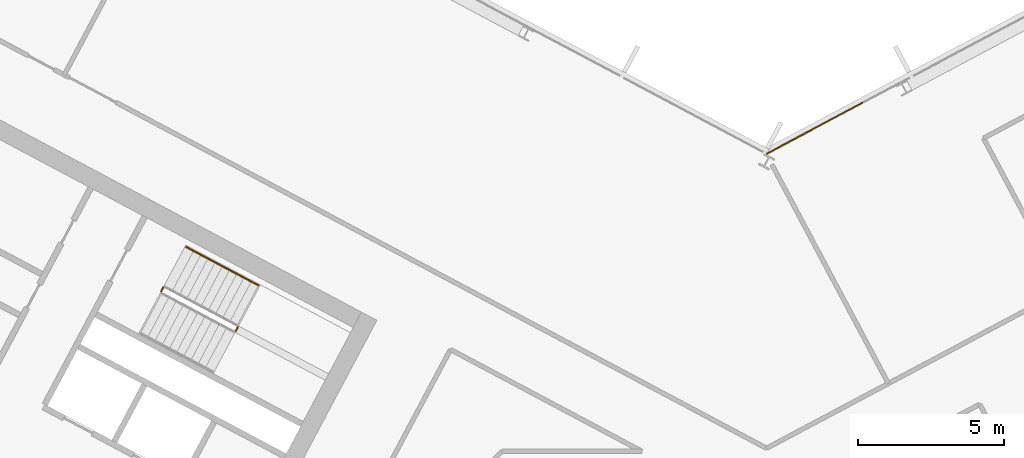
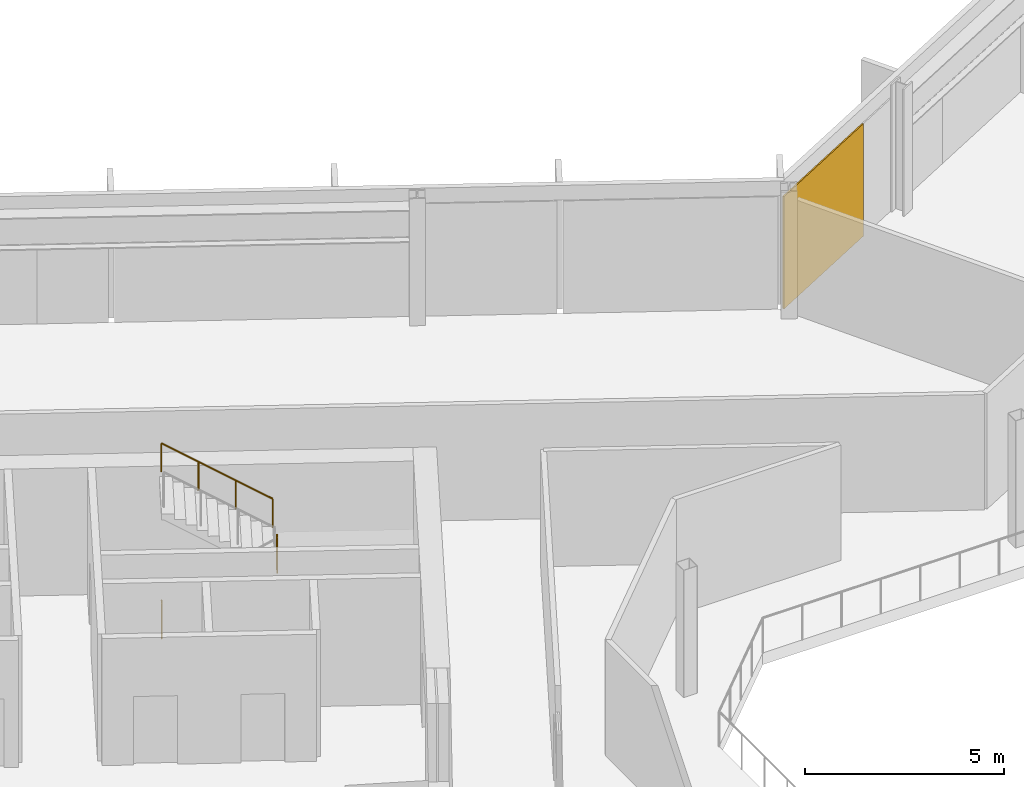
# One storey, part 22 of 26: 3 railings, 1 covering, 1 element without a shape of its own.
"""IFC4 building model written with IfcOpenShell, lengths in metres."""

from ifc_helpers import new_model, si_unit, direction, frame, origin, origin_2d, place, context, subcontext, project, spatial, polyline, rectangle, outline, extrude, material, layer, layer_set, type_object, element, aggregate, save


model = new_model("IFC4")

# Units and contexts
model_context = context("Model", 3, precision=1e-05, world=origin(), true_north=direction((0.0, 1.0)))
body_context = subcontext(model_context, "Body", "Model", "MODEL_VIEW")
ifc_project = project(units=[si_unit("LENGTHUNIT", "METRE"), si_unit("AREAUNIT", "SQUARE_METRE"), si_unit("VOLUMEUNIT", "CUBIC_METRE"), si_unit("PLANEANGLEUNIT", "RADIAN"), si_unit("MASSUNIT", "GRAM", prefix="KILO")], contexts=[model_context])

# Site, building, storey
site_placement = place(None, origin())
site = spatial("IfcSite", under=ifc_project, at=site_placement, CompositionType="ELEMENT")
building_placement = place(site_placement, origin())
building = spatial("IfcBuilding", under=site, at=building_placement, Name="Cormorant Relay Tower", CompositionType="ELEMENT")
storey_placement = place(building_placement, frame((0.0, 0.0, 220.800048828125)))
storey = spatial("IfcBuildingStorey", under=building, at=storey_placement, Name="L48", CompositionType="ELEMENT", Elevation=220.800048828125)

# Curtain wall, covering
ifc_material_1 = material(Name="Aluminium 6063-T6 anodised bronze", Category="aluminium")
ifc_layer_1 = layer(ifc_material_1, 0.199951171875)
ifc_layer_set_1 = layer_set([ifc_layer_1], Name="CW1 unitised bronze curtain wall with vertical fins")
curtain_wall_type = type_object("IfcCurtainWallType", Name="CW1 unitised bronze curtain wall with vertical fins", PredefinedType="NOTDEFINED", material=ifc_layer_set_1)
curtain_wall_placement = place(storey_placement, origin())
curtain_wall = element("IfcCurtainWall", 1, at=curtain_wall_placement, inside=storey, type_object=curtain_wall_type, Name="CW1 curtain wall 8", PredefinedType="NOTDEFINED")
ifc_material_2 = material(Name="Pale bronze anodised aluminium insulated panel", Category="aluminium")
ifc_layer_2 = layer(ifc_material_2, 0.0400390625)
ifc_layer_set_2 = layer_set([ifc_layer_2], Name="CW1 pale bronze insulated panel 40")
covering_type = type_object("IfcCoveringType", Name="CW1 pale bronze insulated panel 40", PredefinedType="CLADDING", material=ifc_layer_set_2)
covering_placement = place(storey_placement, frame((1.65234375, 24.685302734375, 0.0), z_axis=(0.0, 0.0, 1.0), x_axis=(-0.882947592859, -0.469471562786, 0.0)))
covering = element("IfcCovering", 2, at=covering_placement, type_object=covering_type, Name="CW1 panel S08", PredefinedType="CLADDING", context=body_context, shape_type="SweptSolid", body=[
    extrude(rectangle(XDim=3.763916015625, YDim=0.0400390625, at=origin_2d()), origin(), (0.0, 0.0, 1.0), 3.449951171875),
])
aggregate(curtain_wall, [covering])

# Railings
ifc_material_3 = material(Name="Steel ASTM A572 Grade 50 (Fy 345 MPa)", Category="steel")
railing_type_1 = type_object("IfcRailingType", Name="Stair guard 1100", PredefinedType="GUARDRAIL", material=ifc_material_3)
railing_1_placement = place(storey_placement, frame((-18.210693359375, 17.72412109375, 1.949951171875)))
element("IfcRailing", 3, at=railing_1_placement, inside=storey, type_object=railing_type_1, Name="L48 A1 stair guard 2", PredefinedType="GUARDRAIL", context=body_context, shape_type="SweptSolid", body=[
    extrude(outline(polyline([(0.022216796875, 0.00927734375), (0.00927734375, 0.022216796875), (-0.00927734375, 0.022216796875), (-0.022216796875, 0.00927734375), (-0.022216796875, -0.00927734375), (-0.00927734375, -0.022216796875), (0.00927734375, -0.022216796875), (0.022216796875, -0.00927734375), (0.022216796875, 0.00927734375)])), frame((0.0, 0.0, 1.076171875), z_axis=(0.470503732759, 0.882398003998, 0.0), x_axis=(-0.882398003998, 0.470503732759, 0.0)), (0.0, 0.0, 1.0), 0.14990234375),
    extrude(outline(polyline([(0.019287109375, 0.008056640625), (0.008056640625, 0.019287109375), (-0.008056640625, 0.019287109375), (-0.019287109375, 0.008056640625), (-0.019287109375, -0.008056640625), (-0.008056640625, -0.019287109375), (0.008056640625, -0.019287109375), (0.019287109375, -0.008056640625), (0.019287109375, 0.008056640625)])), origin(), (0.0, 0.0, 1.0), 1.052001953125),
    extrude(outline(polyline([(0.019287109375, 0.008056640625), (0.008056640625, 0.019287109375), (-0.008056640625, 0.019287109375), (-0.019287109375, 0.008056640625), (-0.019287109375, -0.008056640625), (-0.008056640625, -0.019287109375), (0.008056640625, -0.019287109375), (0.019287109375, -0.008056640625), (0.019287109375, 0.008056640625)])), frame((0.070556640625, 0.13232421875, 0.0)), (0.0, 0.0, 1.0), 1.052001953125),
])
railing_2_placement = place(storey_placement, frame((-20.771240234375, 19.08544921875, 0.0)))
element("IfcRailing", 4, at=railing_2_placement, inside=storey, type_object=railing_type_1, Name="L48 A1 stair guard 4", PredefinedType="GUARDRAIL", context=body_context, shape_type="SweptSolid", body=[
    extrude(outline(polyline([(0.022216796875, 0.00927734375), (0.00927734375, 0.022216796875), (-0.00927734375, 0.022216796875), (-0.022216796875, 0.00927734375), (-0.022216796875, -0.00927734375), (-0.00927734375, -0.022216796875), (0.00927734375, -0.022216796875), (0.022216796875, -0.00927734375), (0.022216796875, 0.00927734375)])), frame((0.0, 0.0, 1.076171875), z_axis=(0.469828648786, 0.882757634224, 0.0), x_axis=(-0.882757634224, 0.469828648786, 0.0)), (0.0, 0.0, 1.0), 0.150146484375),
    extrude(outline(polyline([(0.019287109375, 0.008056640625), (0.008056640625, 0.019287109375), (-0.008056640625, 0.019287109375), (-0.019287109375, 0.008056640625), (-0.019287109375, -0.008056640625), (-0.008056640625, -0.019287109375), (0.008056640625, -0.019287109375), (0.019287109375, -0.008056640625), (0.019287109375, 0.008056640625)])), origin(), (0.0, 0.0, 1.0), 1.052001953125),
    extrude(outline(polyline([(0.019287109375, 0.008056640625), (0.008056640625, 0.019287109375), (-0.008056640625, 0.019287109375), (-0.019287109375, 0.008056640625), (-0.019287109375, -0.008056640625), (-0.008056640625, -0.019287109375), (0.008056640625, -0.019287109375), (0.019287109375, -0.008056640625), (0.019287109375, 0.008056640625)])), frame((0.070556640625, 0.132568359375, 0.0)), (0.0, 0.0, 1.0), 1.052001953125),
])
ifc_material_4 = material(Name="Steel ASTM A572 Grade 50 (Fy 345 MPa)", Category="steel")
railing_type_2 = type_object("IfcRailingType", Name="Stair handrail 900", PredefinedType="HANDRAIL", material=ifc_material_4)
railing_3_placement = place(storey_placement, frame((-17.433349609375, 19.292724609375, 2.127197265625)))
element("IfcRailing", 5, at=railing_3_placement, inside=storey, type_object=railing_type_2, Name="L48 A1 stair handrail 2", PredefinedType="HANDRAIL", context=body_context, shape_type="SweptSolid", body=[
    extrude(outline(polyline([(0.022216796875, 0.00927734375), (0.00927734375, 0.022216796875), (-0.00927734375, 0.022216796875), (-0.022216796875, 0.00927734375), (-0.022216796875, -0.00927734375), (-0.00927734375, -0.022216796875), (0.00927734375, -0.022216796875), (0.022216796875, -0.00927734375), (0.022216796875, 0.00927734375)])), frame((0.0, 0.0, 0.8759765625), z_axis=(-0.746001213114, 0.396649272309, 0.534931345884), x_axis=(-0.469465464807, -0.882950835185, 0.0)), (0.0, 0.0, 1.0), 3.31396484375),
    extrude(outline(polyline([(0.019287109375, 0.008056640625), (0.008056640625, 0.019287109375), (-0.008056640625, 0.019287109375), (-0.019287109375, 0.008056640625), (-0.019287109375, -0.008056640625), (-0.008056640625, -0.019287109375), (0.008056640625, -0.019287109375), (0.019287109375, -0.008056640625), (0.019287109375, 0.008056640625)])), origin(), (0.0, 0.0, 1.0), 0.851806640625),
    extrude(outline(polyline([(0.019287109375, 0.008056640625), (0.008056640625, 0.019287109375), (-0.008056640625, 0.019287109375), (-0.019287109375, 0.008056640625), (-0.019287109375, -0.008056640625), (-0.008056640625, -0.019287109375), (0.008056640625, -0.019287109375), (0.019287109375, -0.008056640625), (0.019287109375, 0.008056640625)])), frame((-0.823974609375, 0.438232421875, 0.5908203125)), (0.0, 0.0, 1.0), 0.851806640625),
    extrude(outline(polyline([(0.019287109375, 0.008056640625), (0.008056640625, 0.019287109375), (-0.008056640625, 0.019287109375), (-0.019287109375, 0.008056640625), (-0.019287109375, -0.008056640625), (-0.008056640625, -0.019287109375), (0.008056640625, -0.019287109375), (0.019287109375, -0.008056640625), (0.019287109375, 0.008056640625)])), frame((-1.648193359375, 0.876220703125, 1.181884765625)), (0.0, 0.0, 1.0), 0.851806640625),
    extrude(outline(polyline([(0.019287109375, 0.008056640625), (0.008056640625, 0.019287109375), (-0.008056640625, 0.019287109375), (-0.019287109375, 0.008056640625), (-0.019287109375, -0.008056640625), (-0.008056640625, -0.019287109375), (0.008056640625, -0.019287109375), (0.019287109375, -0.008056640625), (0.019287109375, 0.008056640625)])), frame((-2.47216796875, 1.314453125, 1.772705078125)), (0.0, 0.0, 1.0), 0.851806640625),
])

save(model, "model.ifc")
